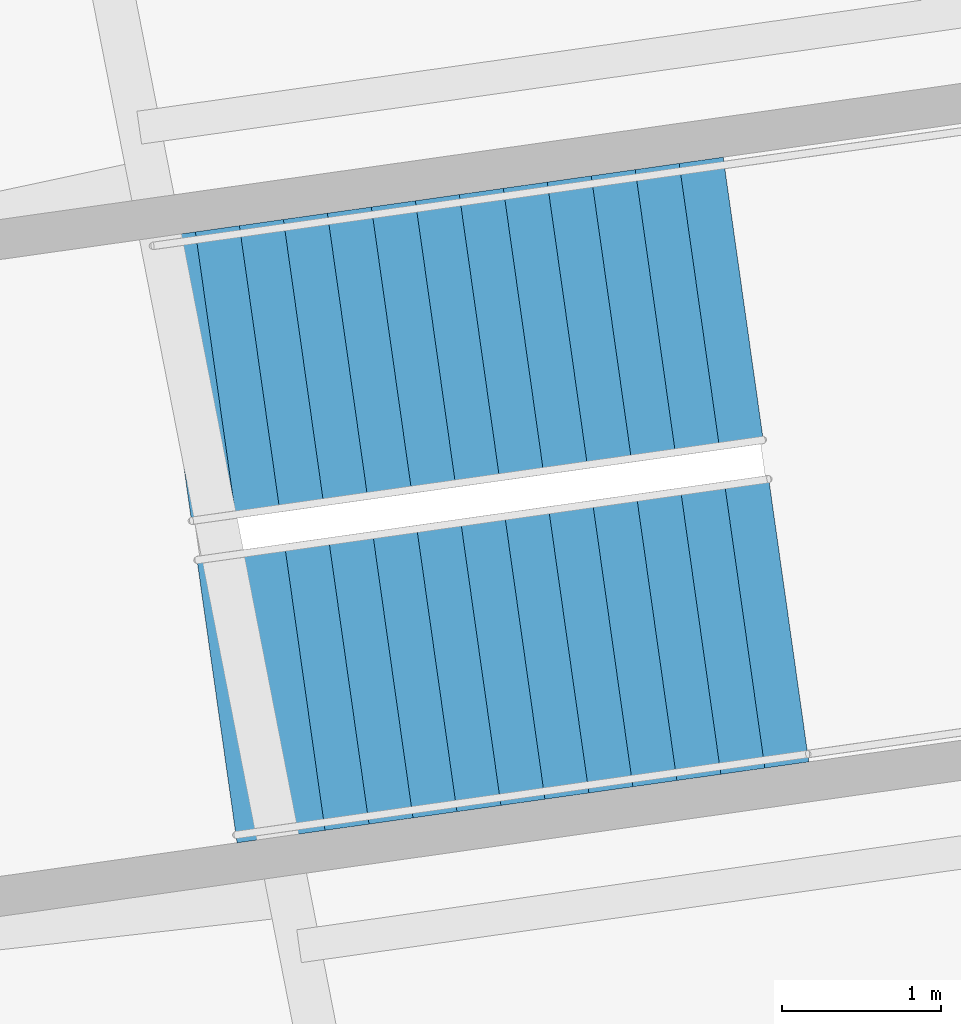
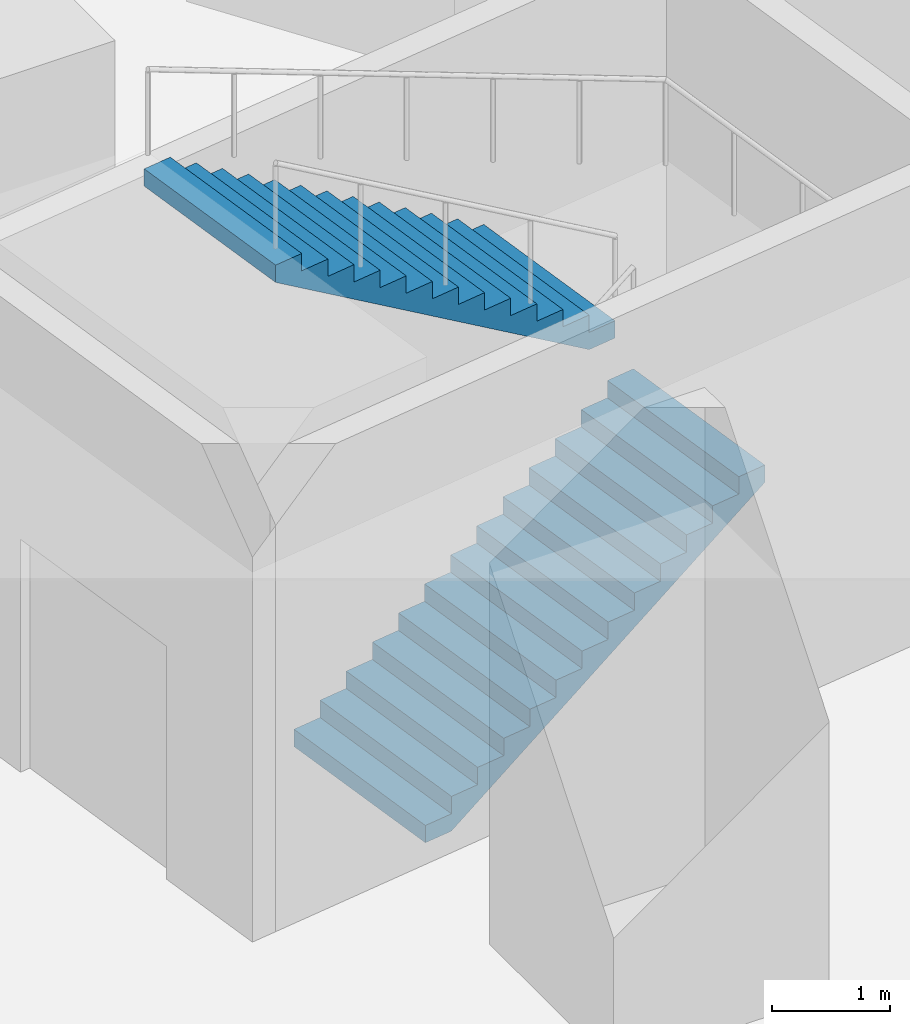
# One storey, part 15 of 28: 2 stair flights, 1 element without a shape of its own.
"""IFC4 building model written with IfcOpenShell, lengths in metres."""

from ifc_helpers import new_model, si_unit, direction, frame, origin, place, context, subcontext, project, spatial, polyline, outline, extrude, material, type_object, element, aggregate, save


model = new_model("IFC4")

# Units and contexts
model_context = context("Model", 3, precision=1e-05, world=origin(), true_north=direction((0.0, 1.0)))
body_context = subcontext(model_context, "Body", "Model", "MODEL_VIEW")
ifc_project = project(units=[si_unit("LENGTHUNIT", "METRE"), si_unit("AREAUNIT", "SQUARE_METRE"), si_unit("VOLUMEUNIT", "CUBIC_METRE"), si_unit("PLANEANGLEUNIT", "RADIAN"), si_unit("MASSUNIT", "GRAM", prefix="KILO")], contexts=[model_context])

# Site, building, storey
site_placement = place(None, origin())
site = spatial("IfcSite", under=ifc_project, at=site_placement, CompositionType="ELEMENT")
building_placement = place(site_placement, origin())
building = spatial("IfcBuilding", under=site, at=building_placement, Name="Ghaith Harvest Tower", CompositionType="ELEMENT")
storey_placement = place(building_placement, frame((0.0, 0.0, 5.0)))
storey = spatial("IfcBuildingStorey", under=building, at=storey_placement, Name="L01", CompositionType="ELEMENT", Elevation=5.0)

# Stair, stair flights
ifc_material_1 = material(Name="Concrete C40/50, precast", Category="concrete")
stair_type = type_object("IfcStairType", Name="PODIUM STAIR 28R", PredefinedType="HALF_TURN_STAIR", material=ifc_material_1)
stair_placement = place(storey_placement, origin())
stair = element("IfcStair", 1, at=stair_placement, inside=storey, type_object=stair_type, Name="Stair PS1 L01", PredefinedType="HALF_TURN_STAIR")
ifc_material_2 = material(Name="Concrete C40/50, precast", Category="concrete")
stair_flight_type = type_object("IfcStairFlightType", Name="PODIUM FLIGHT 14R 1800", PredefinedType="STRAIGHT", material=ifc_material_2)
stair_flight_1_placement = place(storey_placement, frame((32.025634765625, 3.5, 0.0), z_axis=(0.0, 0.0, 1.0), x_axis=(0.99012129307, 0.140213497958, 0.0)))
stair_flight_1 = element("IfcStairFlight", 2, at=stair_flight_1_placement, type_object=stair_flight_type, Name="PS1 flight 1", NumberOfRisers=14, NumberOfTreads=13, PredefinedType="STRAIGHT", RiserHeight=0.178571429, TreadLength=0.28, context=body_context, shape_type="SweptSolid", body=[
    extrude(outline(polyline([(0.0, 0.0), (0.0, 0.178466796875), (0.280029296875, 0.178466796875), (0.280029296875, 0.357177734375), (0.56005859375, 0.357177734375), (0.56005859375, 0.53564453125), (0.840087890625, 0.53564453125), (0.840087890625, 0.71435546875), (1.1201171875, 0.71435546875), (1.1201171875, 0.892822265625), (1.39990234375, 0.892822265625), (1.39990234375, 1.071533203125), (1.679931640625, 1.071533203125), (1.679931640625, 1.25), (1.9599609375, 1.25), (1.9599609375, 1.428466796875), (2.239990234375, 1.428466796875), (2.239990234375, 1.607177734375), (2.52001953125, 1.607177734375), (2.52001953125, 1.78564453125), (2.800048828125, 1.78564453125), (2.800048828125, 1.96435546875), (3.080078125, 1.96435546875), (3.080078125, 2.142822265625), (3.360107421875, 2.142822265625), (3.360107421875, 2.321533203125), (3.639892578125, 2.321533203125), (3.639892578125, 2.5), (3.639892578125, 2.1435546875), (0.27880859375, 0.0), (0.0, 0.0)])), frame((0.0, 0.89990234375, 0.0), z_axis=(0.0, -1.0, 0.0), x_axis=(1.0, 0.0, 0.0)), (0.0, 0.0, 1.0), 1.800048828125),
])
stair_flight_2_placement = place(storey_placement, frame((35.34228515625, 6.0400390625, 2.5), z_axis=(0.0, 0.0, 1.0), x_axis=(-0.99012129307, -0.140213497958, 0.0)))
stair_flight_2 = element("IfcStairFlight", 3, at=stair_flight_2_placement, type_object=stair_flight_type, Name="PS1 flight 2", NumberOfRisers=14, NumberOfTreads=13, PredefinedType="STRAIGHT", RiserHeight=0.178571429, TreadLength=0.28, context=body_context, shape_type="SweptSolid", body=[
    extrude(outline(polyline([(0.0, 0.0), (0.0, 0.178466796875), (0.280029296875, 0.178466796875), (0.280029296875, 0.357177734375), (0.56005859375, 0.357177734375), (0.56005859375, 0.53564453125), (0.840087890625, 0.53564453125), (0.840087890625, 0.71435546875), (1.1201171875, 0.71435546875), (1.1201171875, 0.892822265625), (1.39990234375, 0.892822265625), (1.39990234375, 1.071533203125), (1.679931640625, 1.071533203125), (1.679931640625, 1.25), (1.9599609375, 1.25), (1.9599609375, 1.428466796875), (2.239990234375, 1.428466796875), (2.239990234375, 1.607177734375), (2.52001953125, 1.607177734375), (2.52001953125, 1.78564453125), (2.800048828125, 1.78564453125), (2.800048828125, 1.96435546875), (3.080078125, 1.96435546875), (3.080078125, 2.142822265625), (3.360107421875, 2.142822265625), (3.360107421875, 2.321533203125), (3.639892578125, 2.321533203125), (3.639892578125, 2.5), (3.639892578125, 2.1435546875), (0.27880859375, 0.0), (0.0, 0.0)])), frame((0.0, 0.89990234375, 0.0), z_axis=(0.0, -1.0, 0.0), x_axis=(1.0, 0.0, 0.0)), (0.0, 0.0, 1.0), 1.800048828125),
])
aggregate(stair, [stair_flight_1, stair_flight_2])

save(model, "model.ifc")
